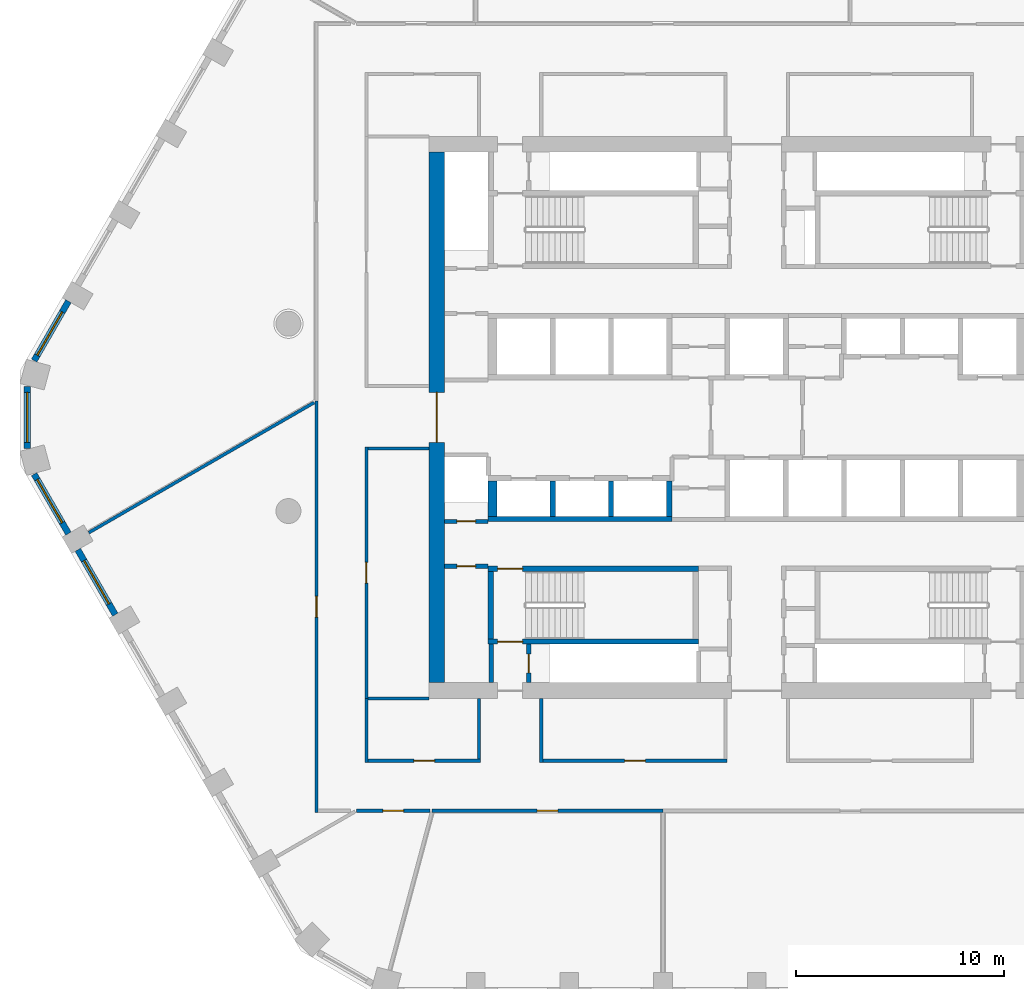
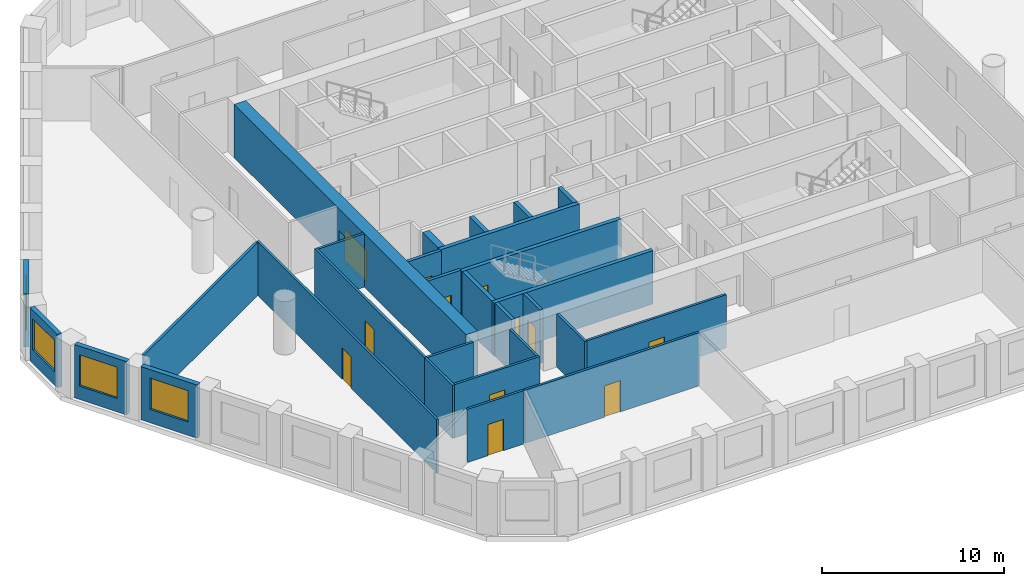
# One storey, part 2 of 14: 29 walls, 12 doors, 4 windows, 16 openings.
"""IFC4 building model written with IfcOpenShell, lengths in metres."""

from ifc_helpers import new_model, si_unit, direction, frame, frame_2d, origin, place, context, subcontext, project, spatial, polyline, rectangle, outline, extrude, material, layer, layer_set, type_object, element, fill, save


model = new_model("IFC4")

# Units and contexts
model_context = context("Model", 3, precision=1e-05, world=origin(), true_north=direction((0.0, 1.0)))
body_context = subcontext(model_context, "Body", "Model", "MODEL_VIEW")
ifc_project = project(units=[si_unit("LENGTHUNIT", "METRE"), si_unit("AREAUNIT", "SQUARE_METRE"), si_unit("VOLUMEUNIT", "CUBIC_METRE"), si_unit("PLANEANGLEUNIT", "RADIAN"), si_unit("MASSUNIT", "GRAM", prefix="KILO")], contexts=[model_context])

# Site, building, storey
site_placement = place(None, origin())
site = spatial("IfcSite", under=ifc_project, at=site_placement, CompositionType="ELEMENT")
building_placement = place(site_placement, origin())
building = spatial("IfcBuilding", under=site, at=building_placement, Name="Dhurran Vertical Campus", CompositionType="ELEMENT")
storey_placement = place(building_placement, frame((0.0, 0.0, 140.39990234375)))
storey = spatial("IfcBuildingStorey", under=building, at=storey_placement, Name="L34", CompositionType="ELEMENT", Elevation=140.39990234375)

# Wall, opening, window
ifc_material_1 = material(Name="Precast concrete C50/60", Category="concrete")
ifc_layer_1 = layer(ifc_material_1, 0.300048828125)
ifc_layer_set_1 = layer_set([ifc_layer_1], Name="Precast concrete C50/60")
wall_type_1 = type_object("IfcWallType", Name="Precast spandrel wall 300", PredefinedType="SOLIDWALL", material=ifc_layer_set_1)
wall_1_placement = place(storey_placement, frame((-33.0693359375, 5.58203125, 0.0), z_axis=(0.0, 0.0, 1.0), x_axis=(-0.499981217486, -0.866036247602, 0.0)))
wall_1 = element("IfcWall", 1, at=wall_1_placement, inside=storey, type_object=wall_type_1, Name="EW1 L34.37", PredefinedType="SOLIDWALL", context=body_context, shape_type="SweptSolid", body=[
    extrude(rectangle(XDim=3.294189453125, YDim=0.300048828125, at=frame_2d((1.64697265625, 0.0))), origin(), (0.0, 0.0, 1.0), 3.5751953125),
])
opening_1_placement = place(wall_1_placement, frame((0.599609375, 0.0, 0.89990234375)))
opening_1 = element("IfcOpeningElement", 2, at=opening_1_placement, cuts=wall_1, Name="Opening WT1", PredefinedType="OPENING", context=body_context, shape_type="SweptSolid", body=[
    extrude(rectangle(XDim=2.39990234375, YDim=2.10009765625, at=frame_2d((1.199951171875, 1.050048828125))), frame((0.0, 0.159912109375, 0.0), z_axis=(0.0, -1.0, 0.0), x_axis=(1.0, 0.0, 0.0)), (0.0, 0.0, 1.0), 0.320068359375),
])
ifc_material_2 = material(Name="Aluminium frame with solar-control glass", Category="aluminium")
window_type = type_object("IfcWindowType", Name="Punched window 2400 x 2100", PartitioningType="SINGLE_PANEL", PredefinedType="WINDOW", material=ifc_material_2)
window_1_placement = place(opening_1_placement, origin())
window_1 = element("IfcWindow", 3, at=window_1_placement, inside=storey, type_object=window_type, Name="WT1 L34.37", OverallHeight=2.10009765625, OverallWidth=2.39990234375, PartitioningType="SINGLE_PANEL", PredefinedType="WINDOW", context=body_context, shape_type="SweptSolid", body=[
    extrude(rectangle(XDim=2.39990234375, YDim=2.10009765625, at=frame_2d((1.199951171875, 1.050048828125))), frame((0.0, 0.030029296875, 0.0), z_axis=(0.0, -1.0, 0.0), x_axis=(1.0, 0.0, 0.0)), (0.0, 0.0, 1.0), 0.06005859375),
])
fill(opening_1, window_1)

wall_2_placement = place(storey_placement, frame((-35.047119140625, 1.49462890625, 0.0), z_axis=(0.0, 0.0, 1.0), x_axis=(0.0, -1.0, 0.0)))
wall_2 = element("IfcWall", 4, at=wall_2_placement, inside=storey, type_object=wall_type_1, Name="EW1 L34.38", PredefinedType="SOLIDWALL", context=body_context, shape_type="SweptSolid", body=[
    extrude(rectangle(XDim=2.9892578125, YDim=0.300048828125, at=frame_2d((1.49462890625, 0.0))), origin(), (0.0, 0.0, 1.0), 3.5751953125),
])
opening_2_placement = place(wall_2_placement, frame((0.294677734375, 0.0, 0.89990234375)))
opening_2 = element("IfcOpeningElement", 5, at=opening_2_placement, cuts=wall_2, Name="Opening WT1", PredefinedType="OPENING", context=body_context, shape_type="SweptSolid", body=[
    extrude(rectangle(XDim=2.39990234375, YDim=2.10009765625, at=frame_2d((1.199951171875, 1.050048828125))), frame((0.0, 0.159912109375, 0.0), z_axis=(0.0, -1.0, 0.0), x_axis=(1.0, 0.0, 0.0)), (0.0, 0.0, 1.0), 0.320068359375),
])
window_2_placement = place(opening_2_placement, origin())
window_2 = element("IfcWindow", 6, at=window_2_placement, inside=storey, type_object=window_type, Name="WT1 L34.38", OverallHeight=2.10009765625, OverallWidth=2.39990234375, PartitioningType="SINGLE_PANEL", PredefinedType="WINDOW", context=body_context, shape_type="SweptSolid", body=[
    extrude(rectangle(XDim=2.39990234375, YDim=2.10009765625, at=frame_2d((1.199951171875, 1.050048828125))), frame((0.0, 0.030029296875, 0.0), z_axis=(0.0, -1.0, 0.0), x_axis=(1.0, 0.0, 0.0)), (0.0, 0.0, 1.0), 0.06005859375),
])
fill(opening_2, window_2)

wall_3_placement = place(storey_placement, frame((-34.71630859375, -2.729248046875, 0.0), z_axis=(0.0, 0.0, 1.0), x_axis=(0.499981217486, -0.866036247602, 0.0)))
wall_3 = element("IfcWall", 7, at=wall_3_placement, inside=storey, type_object=wall_type_1, Name="EW1 L34.39", PredefinedType="SOLIDWALL", context=body_context, shape_type="SweptSolid", body=[
    extrude(rectangle(XDim=3.294189453125, YDim=0.300048828125, at=frame_2d((1.64697265625, 0.0))), origin(), (0.0, 0.0, 1.0), 3.5751953125),
])
opening_3_placement = place(wall_3_placement, frame((0.294677734375, 0.0, 0.89990234375)))
opening_3 = element("IfcOpeningElement", 8, at=opening_3_placement, cuts=wall_3, Name="Opening WT1", PredefinedType="OPENING", context=body_context, shape_type="SweptSolid", body=[
    extrude(rectangle(XDim=2.39990234375, YDim=2.10009765625, at=frame_2d((1.199951171875, 1.050048828125))), frame((0.0, 0.159912109375, 0.0), z_axis=(0.0, -1.0, 0.0), x_axis=(1.0, 0.0, 0.0)), (0.0, 0.0, 1.0), 0.320068359375),
])
window_3_placement = place(opening_3_placement, origin())
window_3 = element("IfcWindow", 9, at=window_3_placement, inside=storey, type_object=window_type, Name="WT1 L34.39", OverallHeight=2.10009765625, OverallWidth=2.39990234375, PartitioningType="SINGLE_PANEL", PredefinedType="WINDOW", context=body_context, shape_type="SweptSolid", body=[
    extrude(rectangle(XDim=2.39990234375, YDim=2.10009765625, at=frame_2d((1.199951171875, 1.050048828125))), frame((0.0, 0.030029296875, 0.0), z_axis=(0.0, -1.0, 0.0), x_axis=(1.0, 0.0, 0.0)), (0.0, 0.0, 1.0), 0.06005859375),
])
fill(opening_3, window_3)

wall_4_placement = place(storey_placement, frame((-32.618896484375, -6.3623046875, 0.0), z_axis=(0.0, 0.0, 1.0), x_axis=(0.500027802648, -0.866009351323, 0.0)))
wall_4 = element("IfcWall", 10, at=wall_4_placement, inside=storey, type_object=wall_type_1, Name="EW1 L34.40", PredefinedType="SOLIDWALL", context=body_context, shape_type="SweptSolid", body=[
    extrude(rectangle(XDim=3.598876953125, YDim=0.300048828125, at=frame_2d((1.79931640625, 0.0))), origin(), (0.0, 0.0, 1.0), 3.5751953125),
])
opening_4_placement = place(wall_4_placement, frame((0.599609375, 0.0, 0.89990234375)))
opening_4 = element("IfcOpeningElement", 11, at=opening_4_placement, cuts=wall_4, Name="Opening WT1", PredefinedType="OPENING", context=body_context, shape_type="SweptSolid", body=[
    extrude(rectangle(XDim=2.39990234375, YDim=2.10009765625, at=frame_2d((1.199951171875, 1.050048828125))), frame((0.0, 0.159912109375, 0.0), z_axis=(0.0, -1.0, 0.0), x_axis=(1.0, 0.0, 0.0)), (0.0, 0.0, 1.0), 0.320068359375),
])
window_4_placement = place(opening_4_placement, origin())
window_4 = element("IfcWindow", 12, at=window_4_placement, inside=storey, type_object=window_type, Name="WT1 L34.40", OverallHeight=2.10009765625, OverallWidth=2.39990234375, PartitioningType="SINGLE_PANEL", PredefinedType="WINDOW", context=body_context, shape_type="SweptSolid", body=[
    extrude(rectangle(XDim=2.39990234375, YDim=2.10009765625, at=frame_2d((1.199951171875, 1.050048828125))), frame((0.0, 0.030029296875, 0.0), z_axis=(0.0, -1.0, 0.0), x_axis=(1.0, 0.0, 0.0)), (0.0, 0.0, 1.0), 0.06005859375),
])
fill(opening_4, window_4)

# Wall, opening, door
ifc_material_3 = material(Name="Concrete C60/75", Category="concrete")
ifc_layer_2 = layer(ifc_material_3, 0.75)
ifc_layer_set_2 = layer_set([ifc_layer_2], Name="Concrete C60/75")
wall_type_2 = type_object("IfcWallType", Name="co-CORE-WALL-C1-750", PredefinedType="SHEAR", material=ifc_layer_set_2)
wall_5_placement = place(storey_placement, frame((-15.375, -12.75, 0.0), z_axis=(0.0, 0.0, 1.0), x_axis=(0.0, 1.0, 0.0)))
wall_5 = element("IfcWall", 13, at=wall_5_placement, inside=storey, type_object=wall_type_2, Name="Core wall W L34", PredefinedType="SHEAR", context=body_context, shape_type="SweptSolid", body=[
    extrude(rectangle(XDim=25.5, YDim=0.75, at=frame_2d((12.75, 0.0))), origin(), (0.0, 0.0, 1.0), 3.5751953125),
])
opening_5_placement = place(wall_5_placement, frame((11.550048828125, 0.0, 0.0)))
opening_5 = element("IfcOpeningElement", 14, at=opening_5_placement, cuts=wall_5, Name="Opening CL1", PredefinedType="OPENING", context=body_context, shape_type="SweptSolid", body=[
    extrude(rectangle(XDim=2.39990234375, YDim=2.10009765625, at=frame_2d((1.199951171875, 1.050048828125))), frame((0.0, 0.385009765625, 0.0), z_axis=(0.0, -1.0, 0.0), x_axis=(1.0, 0.0, 0.0)), (0.0, 0.0, 1.0), 0.77001953125),
])
ifc_material_4 = material(Name="Fire-rated glazed door set")
door_type_1 = type_object("IfcDoorType", Name="co-D-LOBBY 2400x2100", OperationType="DOUBLE_DOOR_DOUBLE_SWING", PredefinedType="DOOR", material=ifc_material_4)
door_1_placement = place(opening_5_placement, origin())
door_1 = element("IfcDoor", 15, at=door_1_placement, inside=storey, type_object=door_type_1, Name="Lift lobby door W L34", OperationType="DOUBLE_DOOR_DOUBLE_SWING", OverallHeight=2.10009765625, OverallWidth=2.39990234375, PredefinedType="DOOR", context=body_context, shape_type="SweptSolid", body=[
    extrude(rectangle(XDim=2.39990234375, YDim=2.10009765625, at=frame_2d((1.199951171875, 1.050048828125))), frame((0.0, 0.02490234375, 0.0), z_axis=(0.0, -1.0, 0.0), x_axis=(1.0, 0.0, 0.0)), (0.0, 0.0, 1.0), 0.050048828125),
])
fill(opening_5, door_1)

# Wall
ifc_material_5 = material(Name="Fire-rated masonry blockwork", Category="masonry")
ifc_layer_3 = layer(ifc_material_5, 0.199951171875)
ifc_layer_set_3 = layer_set([ifc_layer_3], Name="Fire-rated masonry blockwork")
wall_type_3 = type_object("IfcWallType", Name="co-FIRE-PARTITION-200", PredefinedType="PARTITIONING", material=ifc_layer_set_3)
wall_6_placement = place(storey_placement, frame((-12.75, -12.75, 0.0), z_axis=(0.0, 0.0, 1.0), x_axis=(0.0, 1.0, 0.0)))
element("IfcWall", 16, at=wall_6_placement, inside=storey, type_object=wall_type_3, Name="Core partition pass-ST3-o L34", PredefinedType="PARTITIONING", context=body_context, shape_type="SweptSolid", body=[
    extrude(rectangle(XDim=1.85009765625, YDim=0.199951171875, at=frame_2d((0.925048828125, 0.0))), origin(), (0.0, 0.0, 1.0), 3.5751953125),
])

# Wall, opening, door
wall_7_placement = place(storey_placement, frame((-10.949951171875, -12.75, 0.0), z_axis=(0.0, 0.0, 1.0), x_axis=(0.0, 1.0, 0.0)))
wall_7 = element("IfcWall", 17, at=wall_7_placement, inside=storey, type_object=wall_type_3, Name="Core partition pass-ST3-i L34", PredefinedType="PARTITIONING", context=body_context, shape_type="SweptSolid", body=[
    extrude(rectangle(XDim=1.85009765625, YDim=0.199951171875, at=frame_2d((0.925048828125, 0.0))), origin(), (0.0, 0.0, 1.0), 3.5751953125),
])
opening_6_placement = place(wall_7_placement, frame((0.47509765625, 0.0, 0.0)))
opening_6 = element("IfcOpeningElement", 18, at=opening_6_placement, cuts=wall_7, Name="Opening T09-C13", PredefinedType="OPENING", context=body_context, shape_type="SweptSolid", body=[
    extrude(rectangle(XDim=0.89990234375, YDim=2.10009765625, at=frame_2d((0.449951171875, 1.050048828125))), frame((0.0, 0.10986328125, 0.0), z_axis=(0.0, -1.0, 0.0), x_axis=(1.0, 0.0, 0.0)), (0.0, 0.0, 1.0), 0.219970703125),
])
ifc_material_6 = material(Name="Fire-rated timber door set", Category="wood")
door_type_2 = type_object("IfcDoorType", Name="co-D-ROOM 900x2100", OperationType="SINGLE_SWING_LEFT", PredefinedType="DOOR", material=ifc_material_6)
door_2_placement = place(opening_6_placement, origin())
door_2 = element("IfcDoor", 19, at=door_2_placement, inside=storey, type_object=door_type_2, Name="Riser room door L34", OperationType="SINGLE_SWING_LEFT", OverallHeight=2.10009765625, OverallWidth=0.89990234375, PredefinedType="DOOR", context=body_context, shape_type="SweptSolid", body=[
    extrude(rectangle(XDim=0.89990234375, YDim=2.10009765625, at=frame_2d((0.449951171875, 1.050048828125))), frame((0.0, 0.02490234375, 0.0), z_axis=(0.0, -1.0, 0.0), x_axis=(1.0, 0.0, 0.0)), (0.0, 0.0, 1.0), 0.050048828125),
])
fill(opening_6, door_2)

wall_8_placement = place(storey_placement, frame((-15.0, -7.14990234375, 0.0), z_axis=(0.0, 0.0, 1.0), x_axis=(1.0, 0.0, 0.0)))
wall_8 = element("IfcWall", 20, at=wall_8_placement, inside=storey, type_object=wall_type_3, Name="Core partition en-SW-w L34", PredefinedType="PARTITIONING", context=body_context, shape_type="SweptSolid", body=[
    extrude(rectangle(XDim=2.10009765625, YDim=0.199951171875, at=frame_2d((1.050048828125, 0.0))), origin(), (0.0, 0.0, 1.0), 3.5751953125),
])
opening_7_placement = place(wall_8_placement, frame((0.60009765625, 0.0, 0.0)))
opening_7 = element("IfcOpeningElement", 21, at=opening_7_placement, cuts=wall_8, Name="Opening T09-C19", PredefinedType="OPENING", context=body_context, shape_type="SweptSolid", body=[
    extrude(rectangle(XDim=0.89990234375, YDim=2.10009765625, at=frame_2d((0.449951171875, 1.050048828125))), frame((0.0, 0.10986328125, 0.0), z_axis=(0.0, -1.0, 0.0), x_axis=(1.0, 0.0, 0.0)), (0.0, 0.0, 1.0), 0.219970703125),
])
door_3_placement = place(opening_7_placement, origin())
door_3 = element("IfcDoor", 22, at=door_3_placement, inside=storey, type_object=door_type_2, Name="Print room door L34", OperationType="SINGLE_SWING_LEFT", OverallHeight=2.10009765625, OverallWidth=0.89990234375, PredefinedType="DOOR", context=body_context, shape_type="SweptSolid", body=[
    extrude(rectangle(XDim=0.89990234375, YDim=2.10009765625, at=frame_2d((0.449951171875, 1.050048828125))), frame((0.0, 0.02490234375, 0.0), z_axis=(0.0, -1.0, 0.0), x_axis=(1.0, 0.0, 0.0)), (0.0, 0.0, 1.0), 0.050048828125),
])
fill(opening_7, door_3)

wall_9_placement = place(storey_placement, frame((-15.0, -5.0, 0.0), z_axis=(0.0, 0.0, 1.0), x_axis=(1.0, 0.0, 0.0)))
wall_9 = element("IfcWall", 23, at=wall_9_placement, inside=storey, type_object=wall_type_3, Name="Core partition es-SW-w L34", PredefinedType="PARTITIONING", context=body_context, shape_type="SweptSolid", body=[
    extrude(rectangle(XDim=2.10009765625, YDim=0.199951171875, at=frame_2d((1.050048828125, 0.0))), origin(), (0.0, 0.0, 1.0), 3.5751953125),
])
opening_8_placement = place(wall_9_placement, frame((0.60009765625, 0.0, 0.0)))
opening_8 = element("IfcOpeningElement", 24, at=opening_8_placement, cuts=wall_9, Name="Opening T09-C20", PredefinedType="OPENING", context=body_context, shape_type="SweptSolid", body=[
    extrude(rectangle(XDim=0.89990234375, YDim=2.10009765625, at=frame_2d((0.449951171875, 1.050048828125))), frame((0.0, 0.10986328125, 0.0), z_axis=(0.0, -1.0, 0.0), x_axis=(1.0, 0.0, 0.0)), (0.0, 0.0, 1.0), 0.219970703125),
])
door_4_placement = place(opening_8_placement, origin())
door_4 = element("IfcDoor", 25, at=door_4_placement, inside=storey, type_object=door_type_2, Name="Water riser door L34", OperationType="SINGLE_SWING_LEFT", OverallHeight=2.10009765625, OverallWidth=0.89990234375, PredefinedType="DOOR", context=body_context, shape_type="SweptSolid", body=[
    extrude(rectangle(XDim=0.89990234375, YDim=2.10009765625, at=frame_2d((0.449951171875, 1.050048828125))), frame((0.0, 0.02490234375, 0.0), z_axis=(0.0, -1.0, 0.0), x_axis=(1.0, 0.0, 0.0)), (0.0, 0.0, 1.0), 0.050048828125),
])
fill(opening_8, door_4)

# Walls
ifc_material_7 = material(Name="Concrete C50/60", Category="concrete")
ifc_layer_4 = layer(ifc_material_7, 0.25)
ifc_layer_set_4 = layer_set([ifc_layer_4], Name="Concrete C50/60")
wall_type_4 = type_object("IfcWallType", Name="co-SHAFT-MASS-250", PredefinedType="SHEAR", material=ifc_layer_set_4)
wall_10_placement = place(storey_placement, origin())
element("IfcWall", 26, at=wall_10_placement, inside=storey, type_object=wall_type_4, Name="Lift shaft wall S L34 1", PredefinedType="SHEAR", context=body_context, shape_type="SweptSolid", body=[
    extrude(outline(polyline([(-12.89990234375, -5.0), (-4.074951171875, -5.0), (-4.074951171875, -4.75), (-12.89990234375, -4.75), (-12.89990234375, -5.0)])), origin(), (0.0, 0.0, 1.0), 3.5751953125),
])
wall_11_placement = place(storey_placement, origin())
element("IfcWall", 27, at=wall_11_placement, inside=storey, type_object=wall_type_4, Name="Lift shaft wall S L34 3", PredefinedType="SHEAR", context=body_context, shape_type="SweptSolid", body=[
    extrude(outline(polyline([(-12.89990234375, -4.75), (-12.47509765625, -4.75), (-12.47509765625, -3.050048828125), (-12.89990234375, -3.050048828125), (-12.89990234375, -4.75)])), origin(), (0.0, 0.0, 1.0), 3.5751953125),
])
wall_12_placement = place(storey_placement, origin())
element("IfcWall", 28, at=wall_12_placement, inside=storey, type_object=wall_type_4, Name="Lift shaft wall S L34 4", PredefinedType="SHEAR", context=body_context, shape_type="SweptSolid", body=[
    extrude(outline(polyline([(-9.925048828125, -4.75), (-9.675048828125, -4.75), (-9.675048828125, -3.050048828125), (-9.925048828125, -3.050048828125), (-9.925048828125, -4.75)])), origin(), (0.0, 0.0, 1.0), 3.5751953125),
])
wall_13_placement = place(storey_placement, origin())
element("IfcWall", 29, at=wall_13_placement, inside=storey, type_object=wall_type_4, Name="Lift shaft wall S L34 5", PredefinedType="SHEAR", context=body_context, shape_type="SweptSolid", body=[
    extrude(outline(polyline([(-7.125, -4.75), (-6.875, -4.75), (-6.875, -3.050048828125), (-7.125, -3.050048828125), (-7.125, -4.75)])), origin(), (0.0, 0.0, 1.0), 3.5751953125),
])
wall_14_placement = place(storey_placement, origin())
element("IfcWall", 30, at=wall_14_placement, inside=storey, type_object=wall_type_4, Name="Lift shaft wall S L34 6", PredefinedType="SHEAR", context=body_context, shape_type="SweptSolid", body=[
    extrude(outline(polyline([(-4.324951171875, -4.75), (-4.074951171875, -4.75), (-4.074951171875, -3.050048828125), (-4.324951171875, -3.050048828125), (-4.324951171875, -4.75)])), origin(), (0.0, 0.0, 1.0), 3.5751953125),
])

# Wall, opening, door
ifc_material_8 = material(Name="Concrete C40/50", Category="concrete")
ifc_layer_5 = layer(ifc_material_8, 0.25)
ifc_layer_set_5 = layer_set([ifc_layer_5], Name="Concrete C40/50")
wall_type_5 = type_object("IfcWallType", Name="co-STAIR-WALL-250", PredefinedType="SHEAR", material=ifc_layer_set_5)
wall_15_placement = place(storey_placement, frame((-12.89990234375, -10.77490234375, 0.0), z_axis=(0.0, 0.0, 1.0), x_axis=(1.0, 0.0, 0.0)))
wall_15 = element("IfcWall", 31, at=wall_15_placement, inside=storey, type_object=wall_type_5, Name="Stair ST3 enclosure wall L34", PredefinedType="SHEAR", context=body_context, shape_type="SweptSolid", body=[
    extrude(rectangle(XDim=10.099853515625, YDim=0.25, at=frame_2d((5.0498046875, 0.0))), origin(), (0.0, 0.0, 1.0), 3.5751953125),
])
opening_9_placement = place(wall_15_placement, frame((0.449951171875, 0.0, 0.0)))
opening_9 = element("IfcOpeningElement", 32, at=opening_9_placement, cuts=wall_15, Name="Opening XS3", PredefinedType="OPENING", context=body_context, shape_type="SweptSolid", body=[
    extrude(rectangle(XDim=1.199951171875, YDim=2.10009765625, at=frame_2d((0.60009765625, 1.050048828125))), frame((0.0, 0.135009765625, 0.0), z_axis=(0.0, -1.0, 0.0), x_axis=(1.0, 0.0, 0.0)), (0.0, 0.0, 1.0), 0.27001953125),
])
ifc_material_9 = material(Name="Fire-rated steel door set", Category="steel")
door_type_3 = type_object("IfcDoorType", Name="co-D-STAIR-EXIT 1200x2100", OperationType="SINGLE_SWING_RIGHT", PredefinedType="DOOR", material=ifc_material_9)
door_5_placement = place(opening_9_placement, origin())
door_5 = element("IfcDoor", 33, at=door_5_placement, inside=storey, type_object=door_type_3, Name="Stair ST3 discharge door L34", OperationType="SINGLE_SWING_RIGHT", OverallHeight=2.10009765625, OverallWidth=1.199951171875, PredefinedType="DOOR", context=body_context, shape_type="SweptSolid", body=[
    extrude(rectangle(XDim=1.199951171875, YDim=2.10009765625, at=frame_2d((0.60009765625, 1.050048828125))), frame((0.0, 0.02490234375, 0.0), z_axis=(0.0, -1.0, 0.0), x_axis=(1.0, 0.0, 0.0)), (0.0, 0.0, 1.0), 0.050048828125),
])
fill(opening_9, door_5)

wall_16_placement = place(storey_placement, frame((-12.89990234375, -7.27490234375, 0.0), z_axis=(0.0, 0.0, 1.0), x_axis=(1.0, 0.0, 0.0)))
wall_16 = element("IfcWall", 34, at=wall_16_placement, inside=storey, type_object=wall_type_5, Name="Stair ST3 enclosure wall L34", PredefinedType="SHEAR", context=body_context, shape_type="SweptSolid", body=[
    extrude(rectangle(XDim=10.099853515625, YDim=0.25, at=frame_2d((5.0498046875, 0.0))), origin(), (0.0, 0.0, 1.0), 3.5751953125),
])
opening_10_placement = place(wall_16_placement, frame((0.449951171875, 0.0, 0.0)))
opening_10 = element("IfcOpeningElement", 35, at=opening_10_placement, cuts=wall_16, Name="Opening SD3", PredefinedType="OPENING", context=body_context, shape_type="SweptSolid", body=[
    extrude(rectangle(XDim=1.199951171875, YDim=2.10009765625, at=frame_2d((0.60009765625, 1.050048828125))), frame((0.0, 0.135009765625, 0.0), z_axis=(0.0, -1.0, 0.0), x_axis=(1.0, 0.0, 0.0)), (0.0, 0.0, 1.0), 0.27001953125),
])
ifc_material_10 = material(Name="Fire-rated steel door set", Category="steel")
door_type_4 = type_object("IfcDoorType", Name="co-D-STAIR 1200x2100", OperationType="SINGLE_SWING_LEFT", PredefinedType="DOOR", material=ifc_material_10)
door_6_placement = place(opening_10_placement, origin())
door_6 = element("IfcDoor", 36, at=door_6_placement, inside=storey, type_object=door_type_4, Name="Stair ST3 door L34", OperationType="SINGLE_SWING_LEFT", OverallHeight=2.10009765625, OverallWidth=1.199951171875, PredefinedType="DOOR", context=body_context, shape_type="SweptSolid", body=[
    extrude(rectangle(XDim=1.199951171875, YDim=2.10009765625, at=frame_2d((0.60009765625, 1.050048828125))), frame((0.0, 0.02490234375, 0.0), z_axis=(0.0, -1.0, 0.0), x_axis=(1.0, 0.0, 0.0)), (0.0, 0.0, 1.0), 0.050048828125),
])
fill(opening_10, door_6)

# Wall
wall_17_placement = place(storey_placement, frame((-12.77490234375, -10.64990234375, 0.0), z_axis=(0.0, 0.0, 1.0), x_axis=(0.0, 1.0, 0.0)))
element("IfcWall", 37, at=wall_17_placement, inside=storey, type_object=wall_type_5, Name="Stair ST3 enclosure wall L34", PredefinedType="SHEAR", context=body_context, shape_type="SweptSolid", body=[
    extrude(rectangle(XDim=3.25, YDim=0.25, at=frame_2d((1.625, 0.0))), origin(), (0.0, 0.0, 1.0), 3.5751953125),
])

# Wall, opening, door
ifc_material_11 = material(Name="Gypsum board corridor wall on steel studs", Category="steel")
ifc_layer_6 = layer(ifc_material_11, 0.14990234375)
ifc_layer_set_6 = layer_set([ifc_layer_6], Name="Gypsum board corridor wall on steel studs")
wall_type_6 = type_object("IfcWallType", Name="fl-CW-150 corridor wall", PredefinedType="PARTITIONING", material=ifc_layer_set_6)
wall_18_placement = place(storey_placement, frame((-21.14990234375, 0.779052734375, 0.0), z_axis=(0.0, 0.0, 1.0), x_axis=(0.0, -1.0, 0.0)))
wall_18 = element("IfcWall", 38, at=wall_18_placement, inside=storey, type_object=wall_type_6, Name="Partition 34-04", PredefinedType="PARTITIONING", context=body_context, shape_type="SweptSolid", body=[
    extrude(rectangle(XDim=19.754150390625, YDim=0.14990234375, at=frame_2d((9.876953125, 0.0))), origin(), (0.0, 0.0, 1.0), 3.5751953125),
])
opening_11_placement = place(wall_18_placement, frame((9.376953125, 0.0, 0.0)))
opening_11 = element("IfcOpeningElement", 39, at=opening_11_placement, cuts=wall_18, Name="Opening T09.02", PredefinedType="OPENING", context=body_context, shape_type="SweptSolid", body=[
    extrude(rectangle(XDim=1.0, YDim=2.10009765625, at=frame_2d((0.5, 1.050048828125))), frame((0.0, 0.0849609375, 0.0), z_axis=(0.0, -1.0, 0.0), x_axis=(1.0, 0.0, 0.0)), (0.0, 0.0, 1.0), 0.169921875),
])
ifc_material_12 = material(Name="Solid-core timber door set, fire-rated", Category="wood")
door_type_5 = type_object("IfcDoorType", Name="fl-D-1000x2100", OperationType="SINGLE_SWING_LEFT", PredefinedType="DOOR", material=ifc_material_12)
door_7_placement = place(opening_11_placement, origin())
door_7 = element("IfcDoor", 40, at=door_7_placement, inside=storey, type_object=door_type_5, Name="Door 34.02", OperationType="SINGLE_SWING_RIGHT", OverallHeight=2.10009765625, OverallWidth=1.0, PredefinedType="DOOR", context=body_context, shape_type="SweptSolid", body=[
    extrude(rectangle(XDim=1.0, YDim=2.10009765625, at=frame_2d((0.5, 1.050048828125))), frame((0.0, 0.02490234375, 0.0), z_axis=(0.0, -1.0, 0.0), x_axis=(1.0, 0.0, 0.0)), (0.0, 0.0, 1.0), 0.050048828125),
])
fill(opening_11, door_7)

wall_19_placement = place(storey_placement, frame((-19.236083984375, -18.89990234375, 0.0), z_axis=(0.0, 0.0, 1.0), x_axis=(1.0, 0.0, 0.0)))
wall_19 = element("IfcWall", 41, at=wall_19_placement, inside=storey, type_object=wall_type_6, Name="Partition 34-08", PredefinedType="PARTITIONING", context=body_context, shape_type="SweptSolid", body=[
    extrude(rectangle(XDim=3.548095703125, YDim=0.14990234375, at=frame_2d((1.77392578125, 0.0))), origin(), (0.0, 0.0, 1.0), 3.5751953125),
])
opening_12_placement = place(wall_19_placement, frame((1.27392578125, 0.0, 0.0)))
opening_12 = element("IfcOpeningElement", 42, at=opening_12_placement, cuts=wall_19, Name="Opening T09.03", PredefinedType="OPENING", context=body_context, shape_type="SweptSolid", body=[
    extrude(rectangle(XDim=1.0, YDim=2.10009765625, at=frame_2d((0.5, 1.050048828125))), frame((0.0, 0.0849609375, 0.0), z_axis=(0.0, -1.0, 0.0), x_axis=(1.0, 0.0, 0.0)), (0.0, 0.0, 1.0), 0.169921875),
])
door_8_placement = place(opening_12_placement, origin())
door_8 = element("IfcDoor", 43, at=door_8_placement, inside=storey, type_object=door_type_5, Name="Door 34.03", OperationType="SINGLE_SWING_LEFT", OverallHeight=2.10009765625, OverallWidth=1.0, PredefinedType="DOOR", context=body_context, shape_type="SweptSolid", body=[
    extrude(rectangle(XDim=1.0, YDim=2.10009765625, at=frame_2d((0.5, 1.050048828125))), frame((0.0, 0.02490234375, 0.0), z_axis=(0.0, -1.0, 0.0), x_axis=(1.0, 0.0, 0.0)), (0.0, 0.0, 1.0), 0.050048828125),
])
fill(opening_12, door_8)

# Wall
wall_20_placement = place(storey_placement, frame((-18.75, -16.574951171875, 0.0), z_axis=(0.0, 0.0, 1.0), x_axis=(0.0, 1.0, 0.0)))
element("IfcWall", 44, at=wall_20_placement, inside=storey, type_object=wall_type_6, Name="Partition 34-10", PredefinedType="PARTITIONING", context=body_context, shape_type="SweptSolid", body=[
    extrude(rectangle(XDim=3.074951171875, YDim=0.14990234375, at=frame_2d((1.53759765625, 0.0))), origin(), (0.0, 0.0, 1.0), 3.5751953125),
])

# Wall, opening, door
wall_21_placement = place(storey_placement, frame((-13.27490234375, -16.5, 0.0), z_axis=(0.0, 0.0, 1.0), x_axis=(-1.0, 0.0, 0.0)))
wall_21 = element("IfcWall", 45, at=wall_21_placement, inside=storey, type_object=wall_type_6, Name="Partition 34-11", PredefinedType="PARTITIONING", context=body_context, shape_type="SweptSolid", body=[
    extrude(rectangle(XDim=5.400146484375, YDim=0.14990234375, at=frame_2d((2.7001953125, 0.0))), origin(), (0.0, 0.0, 1.0), 3.5751953125),
])
opening_13_placement = place(wall_21_placement, frame((2.199951171875, 0.0, 0.0)))
opening_13 = element("IfcOpeningElement", 46, at=opening_13_placement, cuts=wall_21, Name="Opening T09.07", PredefinedType="OPENING", context=body_context, shape_type="SweptSolid", body=[
    extrude(rectangle(XDim=1.0, YDim=2.10009765625, at=frame_2d((0.5, 1.050048828125))), frame((0.0, 0.0849609375, 0.0), z_axis=(0.0, -1.0, 0.0), x_axis=(1.0, 0.0, 0.0)), (0.0, 0.0, 1.0), 0.169921875),
])
door_9_placement = place(opening_13_placement, origin())
door_9 = element("IfcDoor", 47, at=door_9_placement, inside=storey, type_object=door_type_5, Name="Door 34.07", OperationType="SINGLE_SWING_RIGHT", OverallHeight=2.10009765625, OverallWidth=1.0, PredefinedType="DOOR", context=body_context, shape_type="SweptSolid", body=[
    extrude(rectangle(XDim=1.0, YDim=2.10009765625, at=frame_2d((0.5, 1.050048828125))), frame((0.0, 0.02490234375, 0.0), z_axis=(0.0, -1.0, 0.0), x_axis=(1.0, 0.0, 0.0)), (0.0, 0.0, 1.0), 0.050048828125),
])
fill(opening_13, door_9)

wall_22_placement = place(storey_placement, frame((-18.75, -13.5, 0.0), z_axis=(0.0, 0.0, 1.0), x_axis=(0.0, 1.0, 0.0)))
wall_22 = element("IfcWall", 48, at=wall_22_placement, inside=storey, type_object=wall_type_6, Name="Partition 34-12", PredefinedType="PARTITIONING", context=body_context, shape_type="SweptSolid", body=[
    extrude(rectangle(XDim=12.074951171875, YDim=0.14990234375, at=frame_2d((6.03759765625, 0.0))), origin(), (0.0, 0.0, 1.0), 3.5751953125),
])
opening_14_placement = place(wall_22_placement, frame((5.53759765625, 0.0, 0.0)))
opening_14 = element("IfcOpeningElement", 49, at=opening_14_placement, cuts=wall_22, Name="Opening T09.05", PredefinedType="OPENING", context=body_context, shape_type="SweptSolid", body=[
    extrude(rectangle(XDim=1.0, YDim=2.10009765625, at=frame_2d((0.5, 1.050048828125))), frame((0.0, 0.0849609375, 0.0), z_axis=(0.0, -1.0, 0.0), x_axis=(1.0, 0.0, 0.0)), (0.0, 0.0, 1.0), 0.169921875),
])
door_10_placement = place(opening_14_placement, origin())
door_10 = element("IfcDoor", 50, at=door_10_placement, inside=storey, type_object=door_type_5, Name="Door 34.05", OperationType="SINGLE_SWING_RIGHT", OverallHeight=2.10009765625, OverallWidth=1.0, PredefinedType="DOOR", context=body_context, shape_type="SweptSolid", body=[
    extrude(rectangle(XDim=1.0, YDim=2.10009765625, at=frame_2d((0.5, 1.050048828125))), frame((0.0, 0.02490234375, 0.0), z_axis=(0.0, -1.0, 0.0), x_axis=(1.0, 0.0, 0.0)), (0.0, 0.0, 1.0), 0.050048828125),
])
fill(opening_14, door_10)

# Wall
wall_23_placement = place(storey_placement, frame((-18.675048828125, -1.5, 0.0), z_axis=(0.0, 0.0, 1.0), x_axis=(1.0, 0.0, 0.0)))
element("IfcWall", 51, at=wall_23_placement, inside=storey, type_object=wall_type_6, Name="Partition 34-14", PredefinedType="PARTITIONING", context=body_context, shape_type="SweptSolid", body=[
    extrude(rectangle(XDim=2.925048828125, YDim=0.14990234375, at=frame_2d((1.46240234375, 0.0))), origin(), (0.0, 0.0, 1.0), 3.5751953125),
])

# Wall, opening, door
wall_24_placement = place(storey_placement, frame((-15.593017578125, -18.89990234375, 0.0), z_axis=(0.0, 0.0, 1.0), x_axis=(1.0, 0.0, 0.0)))
wall_24 = element("IfcWall", 52, at=wall_24_placement, inside=storey, type_object=wall_type_6, Name="Partition 34-21", PredefinedType="PARTITIONING", context=body_context, shape_type="SweptSolid", body=[
    extrude(rectangle(XDim=11.093017578125, YDim=0.14990234375, at=frame_2d((5.54638671875, 0.0))), origin(), (0.0, 0.0, 1.0), 3.5751953125),
])
opening_15_placement = place(wall_24_placement, frame((5.04638671875, 0.0, 0.0)))
opening_15 = element("IfcOpeningElement", 53, at=opening_15_placement, cuts=wall_24, Name="Opening T09.09", PredefinedType="OPENING", context=body_context, shape_type="SweptSolid", body=[
    extrude(rectangle(XDim=1.0, YDim=2.10009765625, at=frame_2d((0.5, 1.050048828125))), frame((0.0, 0.0849609375, 0.0), z_axis=(0.0, -1.0, 0.0), x_axis=(1.0, 0.0, 0.0)), (0.0, 0.0, 1.0), 0.169921875),
])
door_11_placement = place(opening_15_placement, origin())
door_11 = element("IfcDoor", 54, at=door_11_placement, inside=storey, type_object=door_type_5, Name="Door 34.09", OperationType="SINGLE_SWING_RIGHT", OverallHeight=2.10009765625, OverallWidth=1.0, PredefinedType="DOOR", context=body_context, shape_type="SweptSolid", body=[
    extrude(rectangle(XDim=1.0, YDim=2.10009765625, at=frame_2d((0.5, 1.050048828125))), frame((0.0, 0.02490234375, 0.0), z_axis=(0.0, -1.0, 0.0), x_axis=(1.0, 0.0, 0.0)), (0.0, 0.0, 1.0), 0.050048828125),
])
fill(opening_15, door_11)

# Walls
wall_25_placement = place(storey_placement, frame((-13.35009765625, -13.5, 0.0), z_axis=(0.0, 0.0, 1.0), x_axis=(0.0, -1.0, 0.0)))
element("IfcWall", 55, at=wall_25_placement, inside=storey, type_object=wall_type_6, Name="Partition 34-24", PredefinedType="PARTITIONING", context=body_context, shape_type="SweptSolid", body=[
    extrude(rectangle(XDim=2.925048828125, YDim=0.14990234375, at=frame_2d((1.46240234375, 0.0))), origin(), (0.0, 0.0, 1.0), 3.5751953125),
])
wall_26_placement = place(storey_placement, frame((-10.35009765625, -16.574951171875, 0.0), z_axis=(0.0, 0.0, 1.0), x_axis=(0.0, 1.0, 0.0)))
element("IfcWall", 56, at=wall_26_placement, inside=storey, type_object=wall_type_6, Name="Partition 34-26", PredefinedType="PARTITIONING", context=body_context, shape_type="SweptSolid", body=[
    extrude(rectangle(XDim=3.074951171875, YDim=0.14990234375, at=frame_2d((1.53759765625, 0.0))), origin(), (0.0, 0.0, 1.0), 3.5751953125),
])

# Wall, opening, door
wall_27_placement = place(storey_placement, frame((-1.425048828125, -16.5, 0.0), z_axis=(0.0, 0.0, 1.0), x_axis=(-1.0, 0.0, 0.0)))
wall_27 = element("IfcWall", 57, at=wall_27_placement, inside=storey, type_object=wall_type_6, Name="Partition 34-27", PredefinedType="PARTITIONING", context=body_context, shape_type="SweptSolid", body=[
    extrude(rectangle(XDim=8.849853515625, YDim=0.14990234375, at=frame_2d((4.4248046875, 0.0))), origin(), (0.0, 0.0, 1.0), 3.5751953125),
])
opening_16_placement = place(wall_27_placement, frame((3.925048828125, 0.0, 0.0)))
opening_16 = element("IfcOpeningElement", 58, at=opening_16_placement, cuts=wall_27, Name="Opening T09.10", PredefinedType="OPENING", context=body_context, shape_type="SweptSolid", body=[
    extrude(rectangle(XDim=1.0, YDim=2.10009765625, at=frame_2d((0.5, 1.050048828125))), frame((0.0, 0.0849609375, 0.0), z_axis=(0.0, -1.0, 0.0), x_axis=(1.0, 0.0, 0.0)), (0.0, 0.0, 1.0), 0.169921875),
])
door_12_placement = place(opening_16_placement, origin())
door_12 = element("IfcDoor", 59, at=door_12_placement, inside=storey, type_object=door_type_5, Name="Door 34.10", OperationType="SINGLE_SWING_RIGHT", OverallHeight=2.10009765625, OverallWidth=1.0, PredefinedType="DOOR", context=body_context, shape_type="SweptSolid", body=[
    extrude(rectangle(XDim=1.0, YDim=2.10009765625, at=frame_2d((0.5, 1.050048828125))), frame((0.0, 0.02490234375, 0.0), z_axis=(0.0, -1.0, 0.0), x_axis=(1.0, 0.0, 0.0)), (0.0, 0.0, 1.0), 0.050048828125),
])
fill(opening_16, door_12)

# Walls
ifc_material_13 = material(Name="Gypsum board partition on steel studs", Category="steel")
ifc_layer_7 = layer(ifc_material_13, 0.14990234375)
ifc_layer_set_7 = layer_set([ifc_layer_7], Name="Gypsum board partition on steel studs")
wall_type_7 = type_object("IfcWallType", Name="fl-PW-150 fixed partition", PredefinedType="PARTITIONING", material=ifc_layer_set_7)
wall_28_placement = place(storey_placement, frame((-21.2626953125, 0.714111328125, 0.0), z_axis=(0.0, 0.0, 1.0), x_axis=(-0.866034381457, -0.499984449893, 0.0)))
element("IfcWall", 60, at=wall_28_placement, inside=storey, type_object=wall_type_7, Name="Partition 34-01", PredefinedType="PARTITIONING", context=body_context, shape_type="SweptSolid", body=[
    extrude(rectangle(XDim=12.5029296875, YDim=0.14990234375, at=frame_2d((6.25146484375, 0.0))), origin(), (0.0, 0.0, 1.0), 3.5751953125),
])
wall_29_placement = place(storey_placement, frame((-15.75, -13.5, 0.0), z_axis=(0.0, 0.0, 1.0), x_axis=(-1.0, 0.0, 0.0)))
element("IfcWall", 61, at=wall_29_placement, inside=storey, type_object=wall_type_7, Name="Partition 34-13", PredefinedType="PARTITIONING", context=body_context, shape_type="SweptSolid", body=[
    extrude(rectangle(XDim=2.925048828125, YDim=0.14990234375, at=frame_2d((1.46240234375, 0.0))), origin(), (0.0, 0.0, 1.0), 3.5751953125),
])

save(model, "model.ifc")
